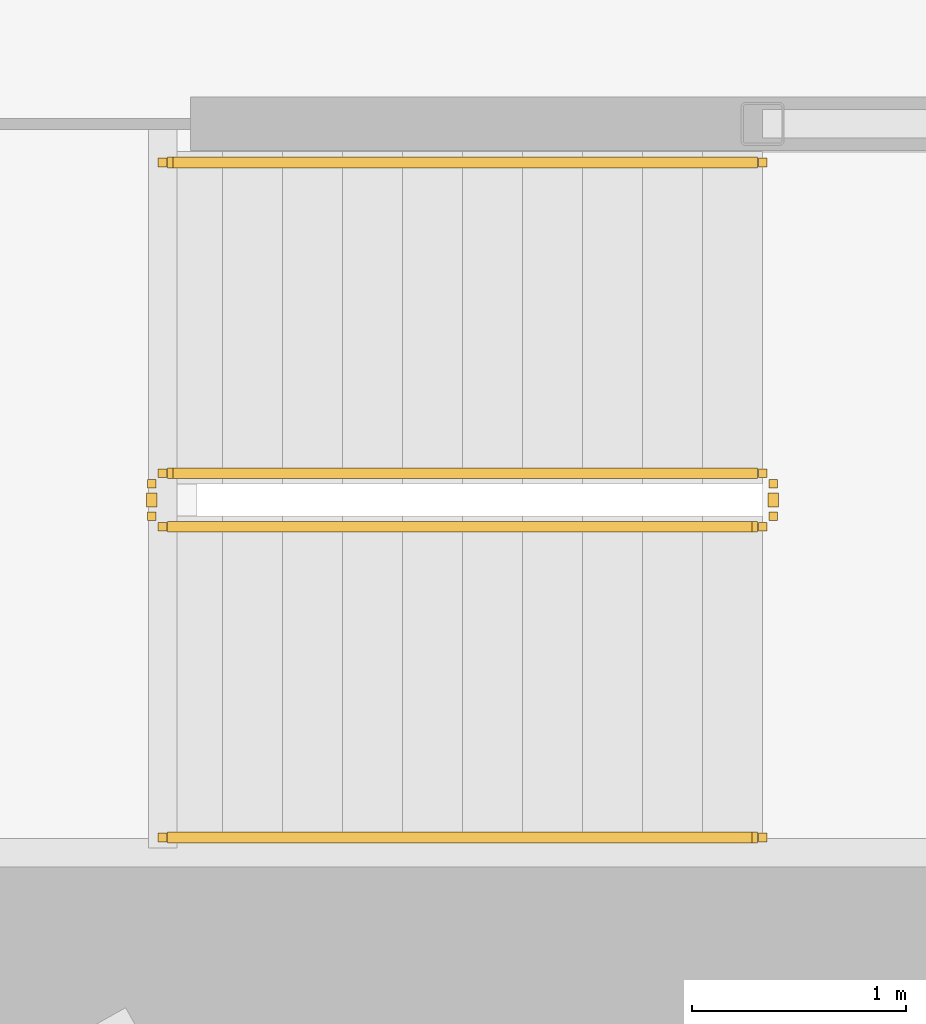
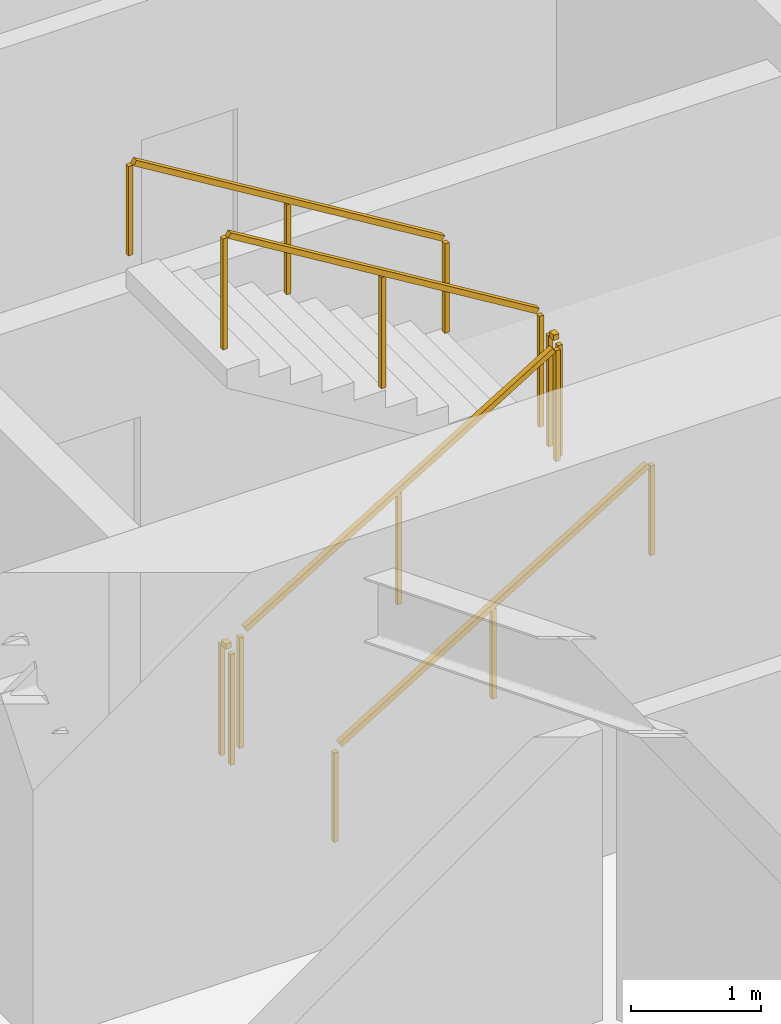
# One storey, part 28 of 31: 6 railings.
"""IFC4 building model written with IfcOpenShell, lengths in metres."""

import ifcopenshell
import ifcopenshell.guid

model = None  # the IFC model being written
_history = None  # IfcOwnerHistory: only IFC2X3 demands one
_inside = {}  # id of a spatial element -> (the spatial element, [elements in it])
_under = {}  # id of a project, library or spatial element -> (it, [spatial elements below it])
_declared = {}  # id of a project -> (the project, [libraries it declares])
_typed = {}  # id of a type object -> (the type object, [elements of that type])
_made_of = {}  # id of a material, layer set ... -> (it, [elements and type objects made of it])


def new_model(schema):
    """Start an empty IFC model of exactly this schema.

    Asked for "IFC4X3", IfcOpenShell would pick the latest addendum, in which some entities
    have other attributes; the version numbers below select the first issue.
    IFC2X3 requires an IfcOwnerHistory on every rooted entity: one is made here for all.
    """
    global model, _history
    if schema == "IFC4X3":
        model = ifcopenshell.file(schema_version=(4, 3, 0, 0))
    else:
        model = ifcopenshell.file(schema=schema)
    _inside.clear()
    _under.clear()
    _declared.clear()
    _typed.clear()
    _made_of.clear()
    _history = None
    if model.schema == "IFC2X3":
        org = make("IfcOrganization", Name="unknown")
        user = make(
            "IfcPersonAndOrganization",
            ThePerson=make("IfcPerson", FamilyName="unknown"),
            TheOrganization=org,
        )
        app = make(
            "IfcApplication",
            ApplicationDeveloper=org,
            Version="unknown",
            ApplicationFullName="unknown",
            ApplicationIdentifier="unknown",
        )
        _history = make(
            "IfcOwnerHistory",
            OwningUser=user,
            OwningApplication=app,
            ChangeAction="ADDED",
            CreationDate=0,
        )
    return model


def make(cls, **values):
    """One entity of the class cls with the attributes given. An attribute that is None is left unset."""
    return model.create_entity(
        cls, **{name: value for name, value in values.items() if value is not None}
    )


def rooted(cls, **values):
    """An entity with a GlobalId (a new one), such as an element, a storey or a relation."""
    return make(cls, GlobalId=ifcopenshell.guid.new(), OwnerHistory=_history, **values)


def si_unit(unit_type, name, prefix=None):
    """IfcSIUnit, for example si_unit("LENGTHUNIT", "METRE", prefix="MILLI")."""
    return make("IfcSIUnit", UnitType=unit_type, Prefix=prefix, Name=name)


def assignment(units):
    """IfcUnitAssignment: the units of a project."""
    return None if units is None else make("IfcUnitAssignment", Units=units)


def point(xyz):
    """IfcCartesianPoint."""
    return None if xyz is None else make("IfcCartesianPoint", Coordinates=xyz)


def direction(xyz):
    """IfcDirection."""
    return None if xyz is None else make("IfcDirection", DirectionRatios=xyz)


def frame(location, z_axis=None, x_axis=None):
    """IfcAxis2Placement3D, a coordinate frame: its origin and axes. An axis left out is left unset."""
    return make(
        "IfcAxis2Placement3D",
        Location=point(location),
        Axis=direction(z_axis),
        RefDirection=direction(x_axis),
    )


def frame_2d(location, x_axis=None):
    """IfcAxis2Placement2D, a coordinate frame in the plane: its origin and x axis."""
    return make(
        "IfcAxis2Placement2D", Location=point(location), RefDirection=direction(x_axis)
    )


def origin():
    """The frame at (0, 0, 0) with its axes left unset."""
    return frame((0.0, 0.0, 0.0))


def origin_2d():
    """The frame at (0, 0) in the plane with its x axis left unset."""
    return frame_2d((0.0, 0.0))


def place(relative_to, where):
    """IfcLocalPlacement: puts the frame where relative to a parent placement (None: the world)."""
    return make(
        "IfcLocalPlacement", PlacementRelTo=relative_to, RelativePlacement=where
    )


def context(
    kind, dimensions, precision=None, world=None, true_north=None, identifier=None
):
    """IfcGeometricRepresentationContext, for example the 3D "Model" context."""
    return make(
        "IfcGeometricRepresentationContext",
        ContextIdentifier=identifier,
        ContextType=kind,
        CoordinateSpaceDimension=dimensions,
        Precision=precision,
        WorldCoordinateSystem=world,
        TrueNorth=true_north,
    )


def subcontext(parent, identifier, kind, view, scale=None):
    """IfcGeometricRepresentationSubContext, for example "Body" below "Model"."""
    return make(
        "IfcGeometricRepresentationSubContext",
        ContextIdentifier=identifier,
        ContextType=kind,
        ParentContext=parent,
        TargetScale=scale,
        TargetView=view,
    )


def project(units=None, contexts=None):
    """IfcProject with its units and contexts."""
    return rooted(
        "IfcProject",
        Name="project",
        RepresentationContexts=contexts,
        UnitsInContext=assignment(units),
    )


def spatial(cls, under=None, at=None, **own):
    """A site, building, storey or space (cls), placed at a placement, below another one or the project."""
    s = rooted(cls, ObjectPlacement=at, **own)
    if under is not None:
        _under.setdefault(under.id(), (under, []))[1].append(s)
    return s


def profile(cls, at=None, kind="AREA", **sizes):
    """A parametric profile (cls). Its sizes go by their IFC names, for example OverallWidth=200.0."""
    return make(cls, ProfileType=kind, Position=at, **sizes)


def rectangle(**sizes):
    """IfcRectangleProfileDef."""
    return profile("IfcRectangleProfileDef", **sizes)


def extrude(swept, where, along, depth):
    """IfcExtrudedAreaSolid: the profile swept, set in the frame where, extruded along a direction by depth."""
    return make(
        "IfcExtrudedAreaSolid",
        SweptArea=swept,
        Position=where,
        ExtrudedDirection=direction(along),
        Depth=depth,
    )


def shape(context_of_items, identifier, shape_type, items):
    """IfcShapeRepresentation: the items that make up one representation, for example the "Body"."""
    return make(
        "IfcShapeRepresentation",
        ContextOfItems=context_of_items,
        RepresentationIdentifier=identifier,
        RepresentationType=shape_type,
        Items=items,
    )


def material(Name=None, Category=None):
    """IfcMaterial."""
    return make("IfcMaterial", Name=Name, Category=Category)


def made_of(thing, what):
    """Note that an element or type object is made of a material, layer set ...; save() writes the relation."""
    if what is not None:
        _made_of.setdefault(what.id(), (what, []))[1].append(thing)
    return thing


def type_object(cls, material=None, **own):
    """A type object (cls), such as IfcWallType, which elements share."""
    return made_of(rooted(cls, **own), material)


def element(
    cls,
    number,
    at=None,
    inside=None,
    cuts=None,
    type_object=None,
    material=None,
    context=None,
    identifier="Body",
    shape_type=None,
    held_by="IfcProductDefinitionShape",
    body=None,
    shapes=None,
    **own,
):
    """One element of the class cls, such as IfcWall. Its Tag is "e" and its number.

    at: its placement. inside: the storey or other place that contains it. cuts: it is an
    opening in that element (IfcRelVoidsElement). A single representation is given by context,
    identifier, shape_type and body (its items); several are given by shapes. held_by: the class
    of the entity that holds the representations. save() writes the other relations.
    """
    e = rooted(cls, Tag="e%d" % number, ObjectPlacement=at, **own)
    if body is not None:
        shapes = [shape(context, identifier, shape_type, body)]
    if shapes is not None:
        e.Representation = make(held_by, Representations=shapes)
    if inside is not None:
        _inside.setdefault(inside.id(), (inside, []))[1].append(e)
    if cuts is not None:
        rooted(
            "IfcRelVoidsElement", RelatingBuildingElement=cuts, RelatedOpeningElement=e
        )
    if type_object is not None:
        _typed.setdefault(type_object.id(), (type_object, []))[1].append(e)
    return made_of(e, material)


def aggregate(whole, parts):
    """IfcRelAggregates: a whole, such as a stair, and the parts it consists of."""
    return rooted("IfcRelAggregates", RelatingObject=whole, RelatedObjects=parts)


def save(model, path):
    """Write the relations noted so far, then the file.

    IfcRelAggregates (storeys below a building ...), IfcRelContainedInSpatialStructure (elements
    in a storey), IfcRelDefinesByType, IfcRelAssociatesMaterial and IfcRelDeclares: one each for
    every whole, place, type object, material and project.
    """
    for whole, parts in _under.values():
        aggregate(whole, parts)
    for where, things in _inside.values():
        rooted(
            "IfcRelContainedInSpatialStructure",
            RelatedElements=things,
            RelatingStructure=where,
        )
    for kind, things in _typed.values():
        rooted("IfcRelDefinesByType", RelatedObjects=things, RelatingType=kind)
    for what, things in _made_of.values():
        rooted("IfcRelAssociatesMaterial", RelatedObjects=things, RelatingMaterial=what)
    for by, libraries in _declared.values():
        rooted("IfcRelDeclares", RelatingContext=by, RelatedDefinitions=libraries)
    model.write(path)


model = new_model("IFC4")

# Units and contexts
model_context = context("Model", 3, precision=1e-05, world=origin(), true_north=direction((0.0, 1.0)))
body_context = subcontext(model_context, "Body", "Model", "MODEL_VIEW")
ifc_project = project(units=[si_unit("LENGTHUNIT", "METRE"), si_unit("AREAUNIT", "SQUARE_METRE"), si_unit("VOLUMEUNIT", "CUBIC_METRE"), si_unit("PLANEANGLEUNIT", "RADIAN"), si_unit("MASSUNIT", "GRAM", prefix="KILO")], contexts=[model_context])

# Site, building, storey
site_placement = place(None, origin())
site = spatial("IfcSite", under=ifc_project, at=site_placement, CompositionType="ELEMENT")
building_placement = place(site_placement, origin())
building = spatial("IfcBuilding", under=site, at=building_placement, Name="Kazma Halo Residences", CompositionType="ELEMENT")
storey_placement = place(building_placement, frame((0.0, 0.0, 67.64990234375)))
storey = spatial("IfcBuildingStorey", under=building, at=storey_placement, Name="L16", CompositionType="ELEMENT", Elevation=67.64990234375)

# Railings
ifc_material_1 = material(Name="Painted Steel S355", Category="steel")
railing_type_1 = type_object("IfcRailingType", Name="RLG-STAIR-GRD-1100", PredefinedType="GUARDRAIL", material=ifc_material_1)
railing_1_placement = place(storey_placement, frame((53.199951171875, 35.5, 0.170654296875)))
element("IfcRailing", 1, at=railing_1_placement, inside=storey, type_object=railing_type_1, Name="L16 ST-03 stair guard 1", PredefinedType="GUARDRAIL", context=body_context, shape_type="SweptSolid", body=[
    extrude(rectangle(XDim=0.050048828125, YDim=0.050048828125, at=origin_2d()), frame((0.036376953125, 0.0, 1.09716796875), z_axis=(0.854202870247, 0.0, 0.519939858505), x_axis=(0.0, 1.0, 0.0)), (0.0, 0.0, 1.0), 3.19287109375),
    extrude(rectangle(XDim=0.0400390625, YDim=0.0400390625, at=origin_2d()), origin(), (0.0, 0.0, 1.0), 1.0380859375),
    extrude(rectangle(XDim=0.0400390625, YDim=0.0400390625, at=origin_2d()), frame((1.39990234375, 0.0, 0.85205078125)), (0.0, 0.0, 1.0), 1.0380859375),
    extrude(rectangle(XDim=0.0400390625, YDim=0.0400390625, at=origin_2d()), frame((2.800048828125, 0.0, 1.704345703125)), (0.0, 0.0, 1.0), 1.0380859375),
])
railing_2_placement = place(storey_placement, frame((56.050048828125, 35.550048828125, 1.875)))
element("IfcRailing", 2, at=railing_2_placement, inside=storey, type_object=railing_type_1, Name="L16 ST-03 stair guard 2", PredefinedType="GUARDRAIL", context=body_context, shape_type="SweptSolid", body=[
    extrude(rectangle(XDim=0.050048828125, YDim=0.050048828125, at=origin_2d()), frame((0.0, 0.04248046875, 1.0751953125), z_axis=(0.0, 1.0, 0.0), x_axis=(-1.0, 0.0, 0.0)), (0.0, 0.0, 1.0), 0.06494140625),
    extrude(rectangle(XDim=0.0400390625, YDim=0.0400390625, at=origin_2d()), origin(), (0.0, 0.0, 1.0), 1.0380859375),
    extrude(rectangle(XDim=0.0400390625, YDim=0.0400390625, at=origin_2d()), frame((0.0, 0.14990234375, 0.0)), (0.0, 0.0, 1.0), 1.0380859375),
])
railing_3_placement = place(storey_placement, frame((56.0, 35.75, 2.045654296875)))
element("IfcRailing", 3, at=railing_3_placement, inside=storey, type_object=railing_type_1, Name="L16 ST-03 stair guard 3", PredefinedType="GUARDRAIL", context=body_context, shape_type="SweptSolid", body=[
    extrude(rectangle(XDim=0.050048828125, YDim=0.050048828125, at=origin_2d()), frame((-0.036376953125, 0.0, 1.09716796875), z_axis=(-0.854202870247, 0.0, 0.519939858505), x_axis=(0.0, -1.0, 0.0)), (0.0, 0.0, 1.0), 3.19287109375),
    extrude(rectangle(XDim=0.0400390625, YDim=0.0400390625, at=origin_2d()), origin(), (0.0, 0.0, 1.0), 1.0380859375),
    extrude(rectangle(XDim=0.0400390625, YDim=0.0400390625, at=origin_2d()), frame((-1.39990234375, 0.0, 0.85205078125)), (0.0, 0.0, 1.0), 1.0380859375),
    extrude(rectangle(XDim=0.0400390625, YDim=0.0400390625, at=origin_2d()), frame((-2.800048828125, 0.0, 1.704345703125)), (0.0, 0.0, 1.0), 1.0380859375),
])
railing_4_placement = place(storey_placement, frame((53.14990234375, 35.550048828125, 0.0)))
element("IfcRailing", 4, at=railing_4_placement, inside=storey, type_object=railing_type_1, Name="L16 ST-03 stair guard 4", PredefinedType="GUARDRAIL", context=body_context, shape_type="SweptSolid", body=[
    extrude(rectangle(XDim=0.050048828125, YDim=0.050048828125, at=origin_2d()), frame((0.0, 0.04248046875, 1.0751953125), z_axis=(0.0, 1.0, 0.0), x_axis=(-1.0, 0.0, 0.0)), (0.0, 0.0, 1.0), 0.06494140625),
    extrude(rectangle(XDim=0.0400390625, YDim=0.0400390625, at=origin_2d()), origin(), (0.0, 0.0, 1.0), 1.0380859375),
    extrude(rectangle(XDim=0.0400390625, YDim=0.0400390625, at=origin_2d()), frame((0.0, 0.14990234375, 0.0)), (0.0, 0.0, 1.0), 1.0380859375),
])
ifc_material_2 = material(Name="Brushed Stainless Steel", Category="steel")
railing_type_2 = type_object("IfcRailingType", Name="RLG-STAIR-HND-900", PredefinedType="HANDRAIL", material=ifc_material_2)
railing_5_placement = place(storey_placement, frame((53.199951171875, 34.050048828125, 0.170654296875)))
element("IfcRailing", 5, at=railing_5_placement, inside=storey, type_object=railing_type_2, Name="L16 ST-03 stair handrail 1", PredefinedType="HANDRAIL", context=body_context, shape_type="SweptSolid", body=[
    extrude(rectangle(XDim=0.050048828125, YDim=0.050048828125, at=origin_2d()), frame((0.036376953125, 0.0, 0.89697265625), z_axis=(0.854202870247, 0.0, 0.519939858505), x_axis=(0.0, 1.0, 0.0)), (0.0, 0.0, 1.0), 3.19287109375),
    extrude(rectangle(XDim=0.0400390625, YDim=0.0400390625, at=origin_2d()), origin(), (0.0, 0.0, 1.0), 0.837890625),
    extrude(rectangle(XDim=0.0400390625, YDim=0.0400390625, at=origin_2d()), frame((1.39990234375, 0.0, 0.85205078125)), (0.0, 0.0, 1.0), 0.837890625),
    extrude(rectangle(XDim=0.0400390625, YDim=0.0400390625, at=origin_2d()), frame((2.800048828125, 0.0, 1.704345703125)), (0.0, 0.0, 1.0), 0.837890625),
])
railing_6_placement = place(storey_placement, frame((56.0, 37.199951171875, 2.045654296875)))
element("IfcRailing", 6, at=railing_6_placement, inside=storey, type_object=railing_type_2, Name="L16 ST-03 stair handrail 2", PredefinedType="HANDRAIL", context=body_context, shape_type="SweptSolid", body=[
    extrude(rectangle(XDim=0.050048828125, YDim=0.050048828125, at=origin_2d()), frame((-0.036376953125, 0.0, 0.89697265625), z_axis=(-0.854202870247, 0.0, 0.519939858505), x_axis=(0.0, -1.0, 0.0)), (0.0, 0.0, 1.0), 3.19287109375),
    extrude(rectangle(XDim=0.0400390625, YDim=0.0400390625, at=origin_2d()), origin(), (0.0, 0.0, 1.0), 0.837890625),
    extrude(rectangle(XDim=0.0400390625, YDim=0.0400390625, at=origin_2d()), frame((-1.39990234375, 0.0, 0.85205078125)), (0.0, 0.0, 1.0), 0.837890625),
    extrude(rectangle(XDim=0.0400390625, YDim=0.0400390625, at=origin_2d()), frame((-2.800048828125, 0.0, 1.704345703125)), (0.0, 0.0, 1.0), 0.837890625),
])

save(model, "model.ifc")
